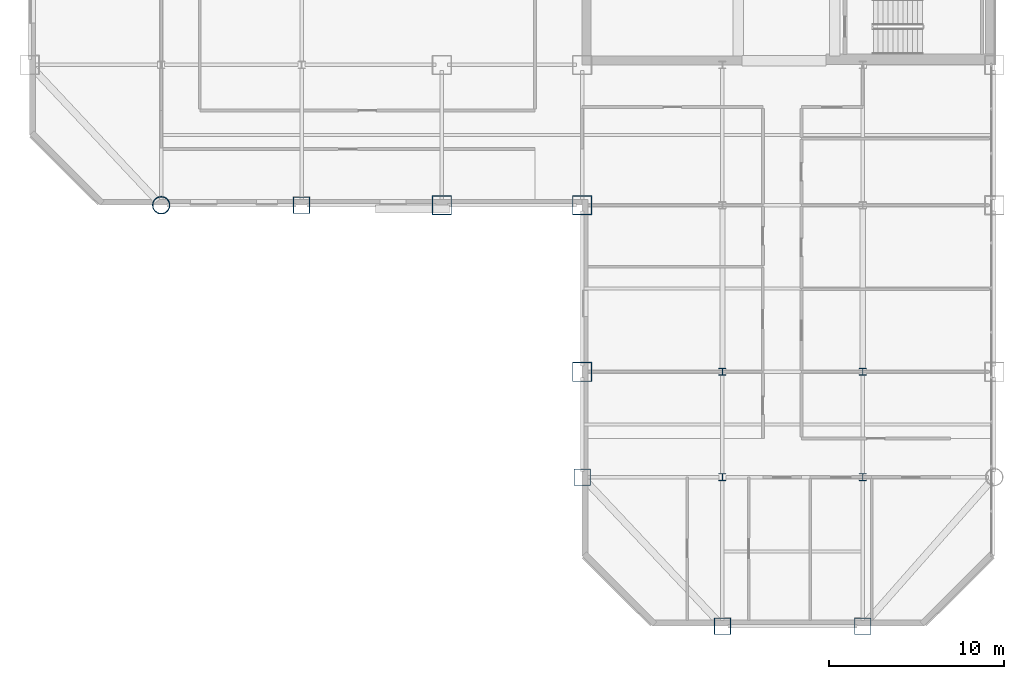
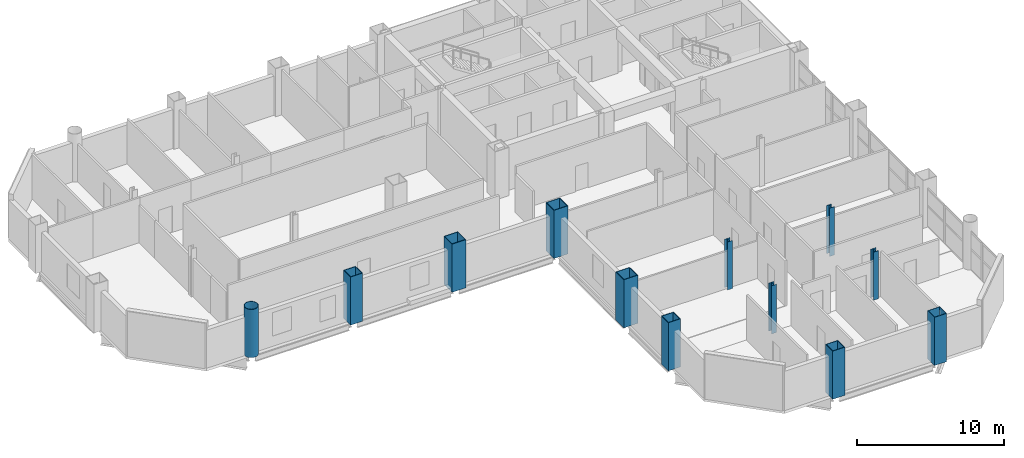
# One storey, part 1 of 16: 12 columns.
"""IFC4 building model written with IfcOpenShell, lengths in metres."""

from ifc_helpers import new_model, si_unit, direction, frame, origin, origin_2d, place, context, subcontext, project, spatial, hollow_rectangle, hollow_circle, i_section, extrude, material, material_profile, profile_set, type_object, element, save


model = new_model("IFC4")

# Units and contexts
model_context = context("Model", 3, precision=1e-05, world=origin(), true_north=direction((0.0, 1.0)))
body_context = subcontext(model_context, "Body", "Model", "MODEL_VIEW")
ifc_project = project(units=[si_unit("LENGTHUNIT", "METRE"), si_unit("AREAUNIT", "SQUARE_METRE"), si_unit("VOLUMEUNIT", "CUBIC_METRE"), si_unit("PLANEANGLEUNIT", "RADIAN"), si_unit("MASSUNIT", "GRAM", prefix="KILO")], contexts=[model_context])

# Site, building, storey
site_placement = place(None, origin())
site = spatial("IfcSite", under=ifc_project, at=site_placement, CompositionType="ELEMENT")
building_placement = place(site_placement, origin())
building = spatial("IfcBuilding", under=site, at=building_placement, Name="Qianrong Seaharbour Tower", CompositionType="ELEMENT")
storey_placement = place(building_placement, frame((0.0, 0.0, 127.0)))
storey = spatial("IfcBuildingStorey", under=building, at=storey_placement, Name="L30", CompositionType="ELEMENT", Elevation=127.0)

# Columns
ifc_material = material(Name="Structural steel SN490B", Category="steel")
ifc_material_profile_1 = material_profile(ifc_material, hollow_rectangle(XDim=1.10009765625, YDim=1.10009765625, WallThickness=0.0400390625, at=origin_2d()), Name="BOX1100x1100x40")
ifc_profile_set_1 = profile_set([ifc_material_profile_1], Name="Structural steel SN490B")
column_type_1 = type_object("IfcColumnType", Name="COL-CFT-1100", PredefinedType="COLUMN", material=ifc_profile_set_1)
for number, where, z_axis, x_axis, name in (
    (1, (32.5, 28.0, 0.0), (0.0, 0.0, 1.0), (1.0, 0.0, 0.0), "L30 Column MC-3 at G5/GE"),
    (2, (40.5, 18.5, 0.0), (0.0, 0.0, 1.0), (1.0, 0.0, 0.0), "L30 Column MC-3 at G6/GD"),
    (3, (40.5, 28.0, 0.0), (0.0, 0.0, 1.0), (1.0, 0.0, 0.0), "L30 Column MC-3 at G6/GE"),
):
    element("IfcColumn", number, at=place(storey_placement, frame(where, z_axis=z_axis, x_axis=x_axis)), inside=storey, type_object=column_type_1, Name=name, PredefinedType="COLUMN", context=body_context, shape_type="SweptSolid", body=[
        extrude(hollow_rectangle(XDim=1.10009765625, YDim=1.10009765625, WallThickness=0.0400390625, at=origin_2d()), origin(), (0.0, 0.0, 1.0), 4.0),
    ])
ifc_material_profile_2 = material_profile(ifc_material, hollow_circle(Radius=0.5, WallThickness=0.035888671875, at=origin_2d()), Name="CHS1000x36")
ifc_profile_set_2 = profile_set([ifc_material_profile_2], Name="Structural steel SN490B")
column_type_2 = type_object("IfcColumnType", Name="COL-CHS-1000", PredefinedType="COLUMN", material=ifc_profile_set_2)
column_placement = place(storey_placement, frame((16.5, 28.0, 0.0), z_axis=(0.0, 0.0, 1.0), x_axis=(1.0, 0.0, 0.0)))
element("IfcColumn", 4, at=column_placement, inside=storey, type_object=column_type_2, Name="L30 Column CC-2 at G3/GE", PredefinedType="COLUMN", context=body_context, shape_type="SweptSolid", body=[
    extrude(hollow_circle(Radius=0.5, WallThickness=0.035888671875, at=origin_2d()), origin(), (0.0, 0.0, 1.0), 4.0),
])
ifc_material_profile_3 = material_profile(ifc_material, i_section(OverallWidth=0.39990234375, OverallDepth=0.39990234375, WebThickness=0.012939453125, FlangeThickness=0.02099609375, FilletRadius=0.02197265625, at=origin_2d()), Name="H400x400x13x21")
ifc_profile_set_3 = profile_set([ifc_material_profile_3], Name="Structural steel SN490B")
column_type_3 = type_object("IfcColumnType", Name="COL-INT-H400", PredefinedType="COLUMN", material=ifc_profile_set_3)
for number, where, z_axis, x_axis, name in (
    (5, (48.5, 12.5, 0.0), (0.0, 0.0, 1.0), (1.0, 0.0, 0.0), "L30 Column IC-3 at G7/GC"),
    (6, (48.5, 18.5, 0.0), (0.0, 0.0, 1.0), (1.0, 0.0, 0.0), "L30 Column IC-3 at G7/GD"),
    (7, (56.5, 12.5, 0.0), (0.0, 0.0, 1.0), (1.0, 0.0, 0.0), "L30 Column IC-3 at G8/GC"),
    (8, (56.5, 18.5, 0.0), (0.0, 0.0, 1.0), (1.0, 0.0, 0.0), "L30 Column IC-3 at G8/GD"),
):
    element("IfcColumn", number, at=place(storey_placement, frame(where, z_axis=z_axis, x_axis=x_axis)), inside=storey, type_object=column_type_3, Name=name, PredefinedType="COLUMN", context=body_context, shape_type="SweptSolid", body=[
        extrude(i_section(OverallWidth=0.39990234375, OverallDepth=0.39990234375, WebThickness=0.012939453125, FlangeThickness=0.02099609375, FilletRadius=0.02197265625, at=origin_2d()), origin(), (0.0, 0.0, 1.0), 4.0),
    ])
ifc_material_profile_4 = material_profile(ifc_material, hollow_rectangle(XDim=0.949951171875, YDim=0.949951171875, WallThickness=0.035888671875, at=origin_2d()), Name="BOX950x950x36")
ifc_profile_set_4 = profile_set([ifc_material_profile_4], Name="Structural steel SN490B")
column_type_4 = type_object("IfcColumnType", Name="COL-PER-950", PredefinedType="COLUMN", material=ifc_profile_set_4)
for number, where, z_axis, x_axis, name in (
    (9, (24.5, 28.0, 0.0), (0.0, 0.0, 1.0), (1.0, 0.0, 0.0), "L30 Column PC-2 at G4/GE"),
    (10, (40.5, 12.5, 0.0), (0.0, 0.0, 1.0), (1.0, 0.0, 0.0), "L30 Column PC-2 at G6/GC"),
    (11, (48.5, 4.0, 0.0), (0.0, 0.0, 1.0), (1.0, 0.0, 0.0), "L30 Column PC-2 at G7/GB"),
    (12, (56.5, 4.0, 0.0), (0.0, 0.0, 1.0), (1.0, 0.0, 0.0), "L30 Column PC-2 at G8/GB"),
):
    element("IfcColumn", number, at=place(storey_placement, frame(where, z_axis=z_axis, x_axis=x_axis)), inside=storey, type_object=column_type_4, Name=name, PredefinedType="COLUMN", context=body_context, shape_type="SweptSolid", body=[
        extrude(hollow_rectangle(XDim=0.949951171875, YDim=0.949951171875, WallThickness=0.035888671875, at=origin_2d()), origin(), (0.0, 0.0, 1.0), 4.0),
    ])

save(model, "model.ifc")
